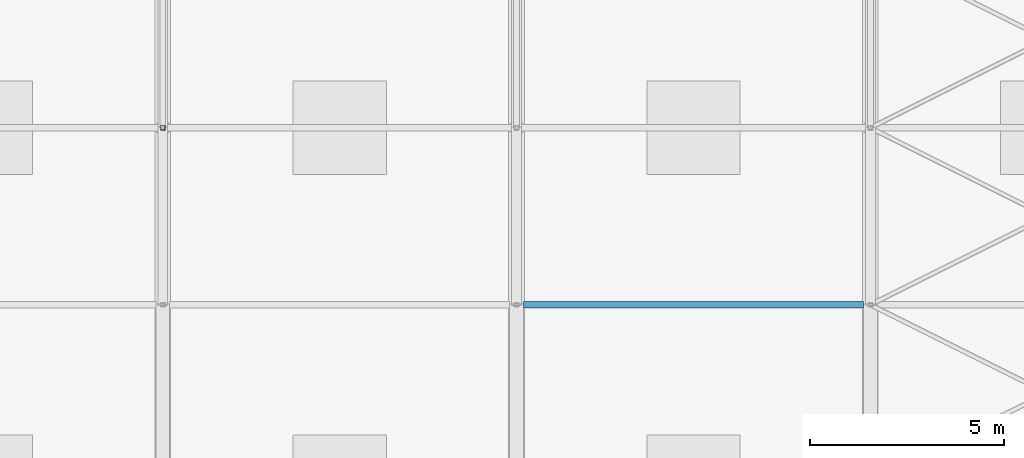
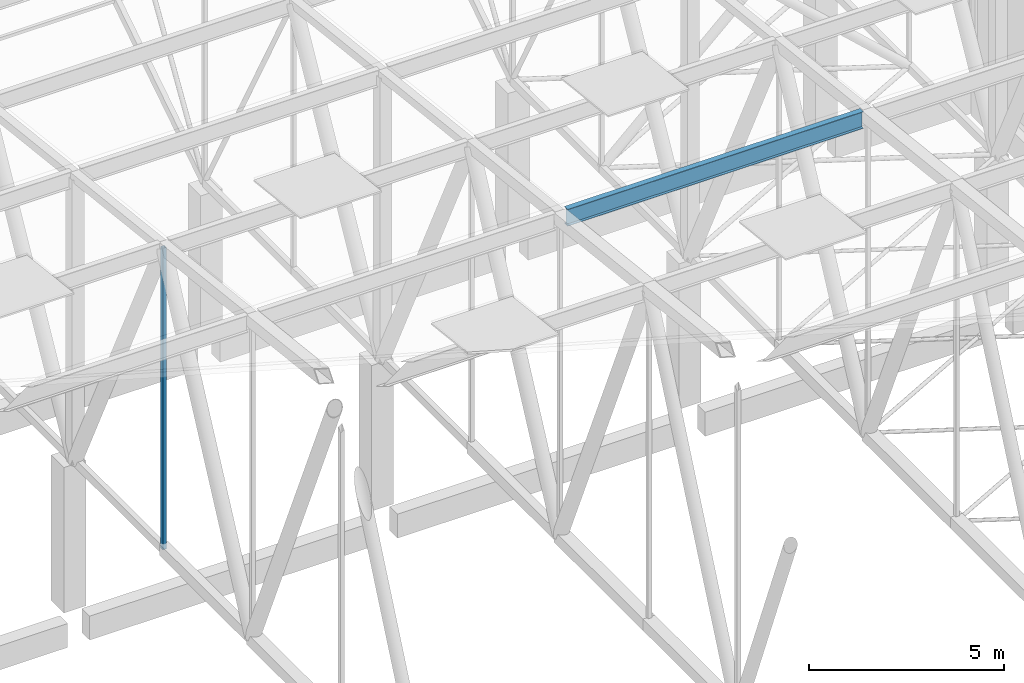
# One storey, part 300 of 500: 2 members.
"""IFC4 building model written with IfcOpenShell, lengths in metres."""

from ifc_helpers import new_model, si_unit, direction, frame, origin, origin_2d, place, context, subcontext, project, spatial, hollow_rectangle, i_section, extrude, material, material_profile, profile_set, type_object, element, save


model = new_model("IFC4")

# Units and contexts
model_context = context("Model", 3, precision=1e-05, world=origin(), true_north=direction((0.0, 1.0)))
body_context = subcontext(model_context, "Body", "Model", "MODEL_VIEW")
ifc_project = project(units=[si_unit("LENGTHUNIT", "METRE"), si_unit("AREAUNIT", "SQUARE_METRE"), si_unit("VOLUMEUNIT", "CUBIC_METRE"), si_unit("PLANEANGLEUNIT", "RADIAN"), si_unit("MASSUNIT", "GRAM", prefix="KILO")], contexts=[model_context])

# Site, building, storey
site_placement = place(None, origin())
site = spatial("IfcSite", under=ifc_project, at=site_placement, CompositionType="ELEMENT")
building_placement = place(site_placement, origin())
building = spatial("IfcBuilding", under=site, at=building_placement, Name="Shirokan Park Arena", CompositionType="ELEMENT")
storey_placement = place(building_placement, frame((0.0, 0.0, 29.1201171875)))
storey = spatial("IfcBuildingStorey", under=building, at=storey_placement, Name="L06", CompositionType="ELEMENT", Elevation=29.1201171875)

# Members
ifc_material_1 = material(Name="Steel ASTM A992", Category="steel")
ifc_material_profile_1 = material_profile(ifc_material_1, i_section(OverallWidth=0.166015625, OverallDepth=0.528076171875, WebThickness=0.009765625, FlangeThickness=0.013671875, at=origin_2d()), Name="W530X74")
ifc_profile_set_1 = profile_set([ifc_material_profile_1], Name="Steel ASTM A992")
member_type_1 = type_object("IfcMemberType", Name="Purlin W530X74", PredefinedType="PURLIN", material=ifc_profile_set_1)
member_1_placement = place(storey_placement, frame((82.077880859375, 91.0, 14.56591796875), z_axis=(1.0, 0.0, 0.0), x_axis=(0.0, 1.0, 0.0)))
element("IfcMember", 1, at=member_1_placement, inside=storey, type_object=member_type_1, Name="Purlin 23 bay 10", PredefinedType="PURLIN", context=body_context, shape_type="SweptSolid", body=[
    extrude(i_section(OverallWidth=0.166015625, OverallDepth=0.528076171875, WebThickness=0.009765625, FlangeThickness=0.013671875, at=origin_2d()), origin(), (0.0, 0.0, 1.0), 8.744140625),
])
ifc_material_2 = material(Name="Steel ASTM A500 Grade C", Category="steel")
ifc_material_profile_2 = material_profile(ifc_material_2, hollow_rectangle(XDim=0.114013671875, YDim=0.114013671875, WallThickness=0.00634765625, at=origin_2d()), Name="HSS114.3X114.3X6.4")
ifc_profile_set_2 = profile_set([ifc_material_profile_2], Name="Steel ASTM A500 Grade C")
member_type_2 = type_object("IfcMemberType", Name="Truss post HSS114.3X114.3X6.4", PredefinedType="POST", material=ifc_profile_set_2)
member_2_placement = place(storey_placement, frame((72.800048828125, 95.550048828125, 4.677001953125), z_axis=(0.0, 0.0, 1.0), x_axis=(1.0, 0.0, 0.0)))
element("IfcMember", 2, at=member_2_placement, inside=storey, type_object=member_type_2, Name="Truss T09 post 24", PredefinedType="POST", context=body_context, shape_type="SweptSolid", body=[
    extrude(hollow_rectangle(XDim=0.114013671875, YDim=0.114013671875, WallThickness=0.00634765625, at=origin_2d()), origin(), (0.0, 0.0, 1.0), 9.42431640625),
])

save(model, "model.ifc")
